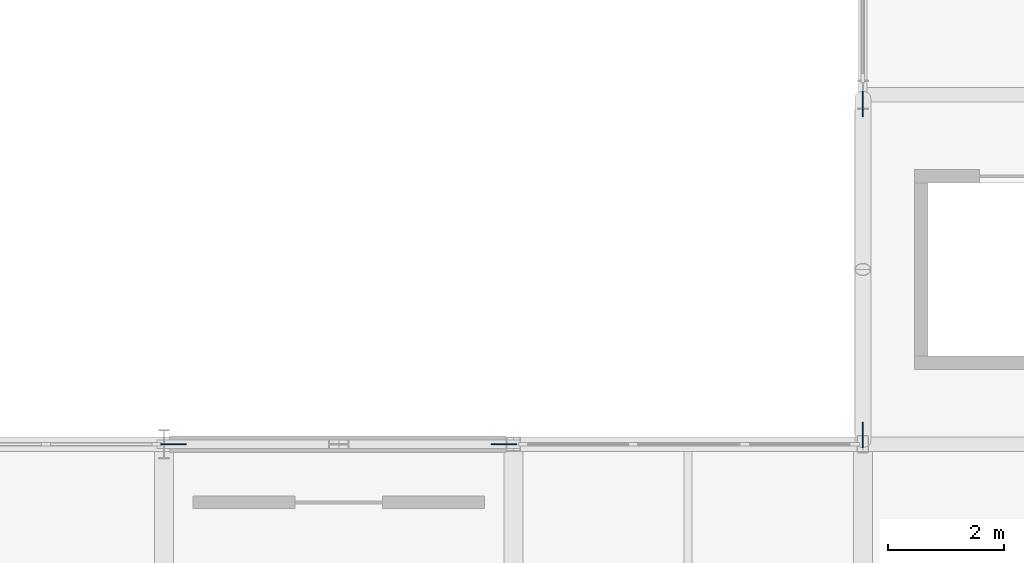
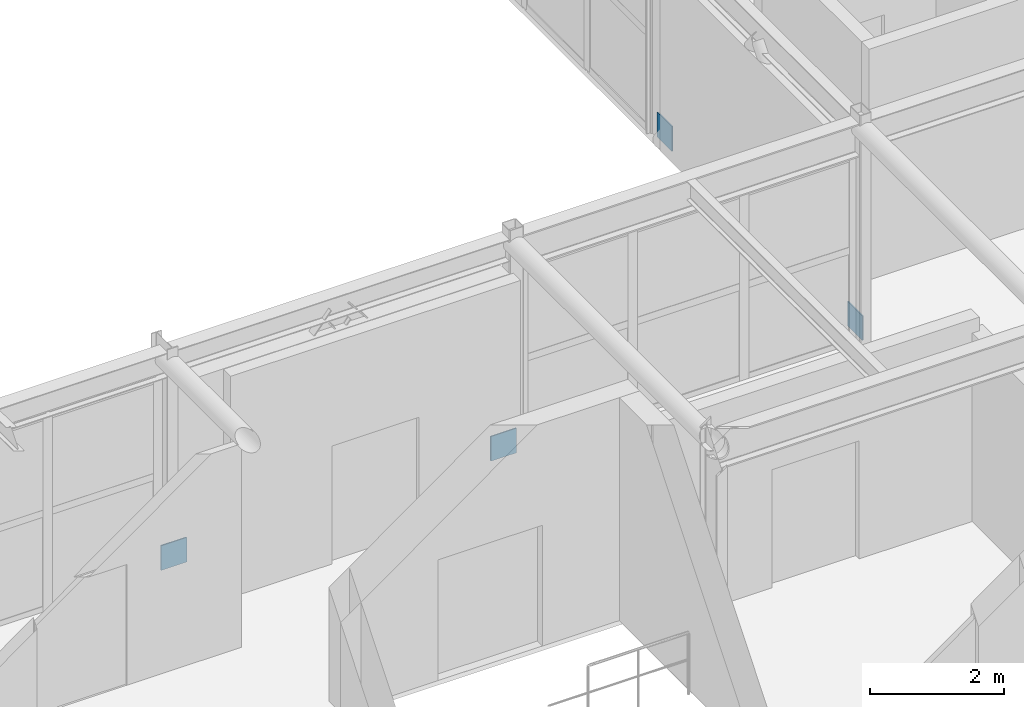
# One storey, part 11 of 14: 4 discrete accessories.
"""IFC4 building model written with IfcOpenShell, lengths in metres."""

from ifc_helpers import new_model, si_unit, direction, frame, origin, origin_2d, place, context, subcontext, project, spatial, rectangle, extrude, material, layer, layer_set, type_object, element, save


model = new_model("IFC4")

# Units and contexts
model_context = context("Model", 3, precision=1e-05, world=origin(), true_north=direction((0.0, 1.0)))
body_context = subcontext(model_context, "Body", "Model", "MODEL_VIEW")
ifc_project = project(units=[si_unit("LENGTHUNIT", "METRE"), si_unit("AREAUNIT", "SQUARE_METRE"), si_unit("VOLUMEUNIT", "CUBIC_METRE"), si_unit("PLANEANGLEUNIT", "RADIAN"), si_unit("MASSUNIT", "GRAM", prefix="KILO")], contexts=[model_context])

# Site, building, storey
site_placement = place(None, origin())
site = spatial("IfcSite", under=ifc_project, at=site_placement, CompositionType="ELEMENT")
building_placement = place(site_placement, origin())
building = spatial("IfcBuilding", under=site, at=building_placement, Name="Varnakota Square Police Headquarters", CompositionType="ELEMENT")
storey_placement = place(building_placement, frame((0.0, 0.0, 30.0)))
storey = spatial("IfcBuildingStorey", under=building, at=storey_placement, Name="L07", CompositionType="ELEMENT", Elevation=30.0)

# Discrete accessories
ifc_material = material(Name="Steel IS 2062 Grade 350", Category="steel")
ifc_layer = layer(ifc_material, 0.64990234375, Name="Steel IS 2062 Grade 350")
ifc_layer_set = layer_set([ifc_layer], Name="Steel IS 2062 Grade 350")
discrete_accessory_type = type_object("IfcDiscreteAccessoryType", Name="ACC-EMB-350", PredefinedType="BRACKET", material=ifc_layer_set)
for number, where, z_axis, x_axis, name in (
    (1, (126.159912109375, 15.0, 0.02490234375), (0.0, 0.0, 1.0), (1.0, 0.0, 0.0), "Brace gusset connection plate BF1 L07 L"),
    (2, (131.840087890625, 15.0, 0.02490234375), (0.0, 0.0, 1.0), (1.0, 0.0, 0.0), "Brace gusset connection plate BF1 L07 R"),
    (3, (138.0, 15.159912109375, 0.02490234375), (0.0, 0.0, 1.0), (0.0, 1.0, 0.0), "Brace gusset connection plate BF2 L07 L"),
    (4, (138.0, 20.840087890625, 0.02490234375), (0.0, 0.0, 1.0), (0.0, 1.0, 0.0), "Brace gusset connection plate BF2 L07 R"),
):
    element("IfcDiscreteAccessory", number, at=place(storey_placement, frame(where, z_axis=z_axis, x_axis=x_axis)), inside=storey, type_object=discrete_accessory_type, Name=name, PredefinedType="BRACKET", context=body_context, shape_type="SweptSolid", body=[
        extrude(rectangle(XDim=0.43994140625, YDim=0.02001953125, at=origin_2d()), origin(), (0.0, 0.0, 1.0), 0.449951171875),
    ])

save(model, "model.ifc")
